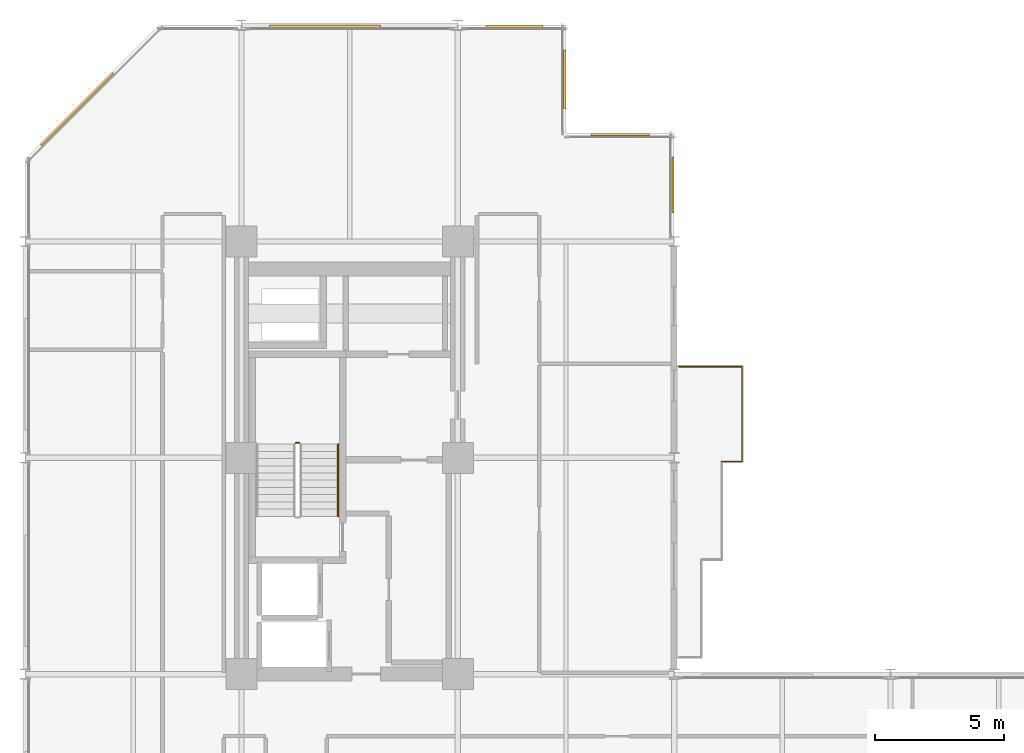
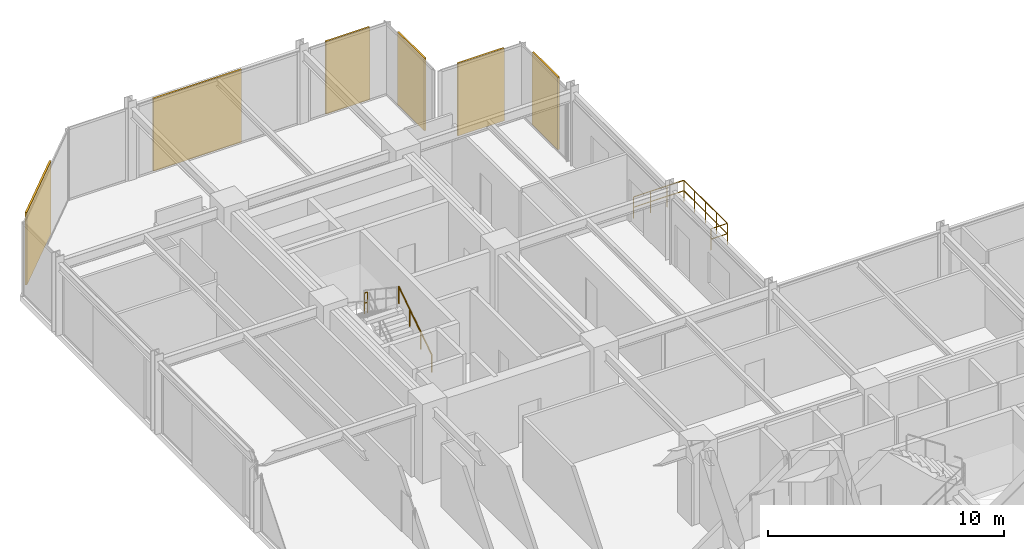
# One storey, part 29 of 29: 6 coverings, 5 railings.
"""IFC4 building model written with IfcOpenShell, lengths in metres."""

from ifc_helpers import new_model, si_unit, direction, frame, origin, origin_2d, place, context, subcontext, project, spatial, rectangle, circle, extrude, material, layer, layer_set, type_object, element, save


model = new_model("IFC4")

# Units and contexts
model_context = context("Model", 3, precision=1e-05, world=origin(), true_north=direction((0.0, 1.0)))
body_context = subcontext(model_context, "Body", "Model", "MODEL_VIEW")
ifc_project = project(units=[si_unit("LENGTHUNIT", "METRE"), si_unit("AREAUNIT", "SQUARE_METRE"), si_unit("VOLUMEUNIT", "CUBIC_METRE"), si_unit("PLANEANGLEUNIT", "RADIAN"), si_unit("MASSUNIT", "GRAM", prefix="KILO")], contexts=[model_context])

# Site, building, storey
site_placement = place(None, origin())
site = spatial("IfcSite", under=ifc_project, at=site_placement, CompositionType="ELEMENT")
building_placement = place(site_placement, origin())
building = spatial("IfcBuilding", under=site, at=building_placement, Name="Nerrivon Quay Data Exchange", CompositionType="ELEMENT")
storey_placement = place(building_placement, frame((0.0, 0.0, 158.199951171875)))
storey = spatial("IfcBuildingStorey", under=building, at=storey_placement, Name="L37", CompositionType="ELEMENT", Elevation=158.199951171875)

# Coverings
ifc_material_1 = material(Name="Architectural terracotta ceramic", Category="masonry")
ifc_layer = layer(ifc_material_1, 0.090087890625)
ifc_layer_set = layer_set([ifc_layer], Name="Architectural terracotta ceramic")
covering_type = type_object("IfcCoveringType", Name="COV-SCR-TERR", PredefinedType="CLADDING", material=ifc_layer_set)
covering_1_placement = place(storey_placement, frame((2.0078125, 47.144287109375, 0.0), z_axis=(0.0, 0.0, 1.0), x_axis=(0.707106781187, 0.707106781187, 0.0)))
element("IfcCovering", 1, at=covering_1_placement, inside=storey, type_object=covering_type, Name="L37 Perforated Terracotta SOLAR SCREEN Cassette", PredefinedType="CLADDING", context=body_context, shape_type="SweptSolid", body=[
    extrude(rectangle(XDim=3.970947265625, YDim=0.090087890625, at=origin_2d()), origin(), (0.0, 0.0, 1.0), 3.75),
])
covering_2_placement = place(storey_placement, frame((11.639892578125, 50.35498046875, 0.0), z_axis=(0.0, 0.0, 1.0), x_axis=(1.0, 0.0, 0.0)))
element("IfcCovering", 2, at=covering_2_placement, inside=storey, type_object=covering_type, Name="L37 Perforated Terracotta SOLAR SCREEN Cassette", PredefinedType="CLADDING", context=body_context, shape_type="SweptSolid", body=[
    extrude(rectangle(XDim=4.320068359375, YDim=0.090087890625, at=origin_2d()), origin(), (0.0, 0.0, 1.0), 3.75),
])
covering_3_placement = place(storey_placement, frame((19.0, 50.35498046875, 0.0), z_axis=(0.0, 0.0, 1.0), x_axis=(1.0, 0.0, 0.0)))
element("IfcCovering", 3, at=covering_3_placement, inside=storey, type_object=covering_type, Name="L37 Perforated Terracotta SOLAR SCREEN Cassette", PredefinedType="CLADDING", context=body_context, shape_type="SweptSolid", body=[
    extrude(rectangle(XDim=2.159912109375, YDim=0.090087890625, at=origin_2d()), origin(), (0.0, 0.0, 1.0), 3.75),
])
for number, where, z_axis, x_axis, name in (
    (4, (20.955078125, 48.300048828125, 0.0), (0.0, 0.0, 1.0), (0.0, -1.0, 0.0), "L37 Perforated Terracotta SOLAR SCREEN Cassette"),
    (5, (23.10009765625, 46.155029296875, 0.0), (0.0, 0.0, 1.0), (1.0, 0.0, 0.0), "L37 Perforated Terracotta SOLAR SCREEN Cassette"),
):
    element("IfcCovering", number, at=place(storey_placement, frame(where, z_axis=z_axis, x_axis=x_axis)), inside=storey, type_object=covering_type, Name=name, PredefinedType="CLADDING", context=body_context, shape_type="SweptSolid", body=[
        extrude(rectangle(XDim=2.26806640625, YDim=0.090087890625, at=origin_2d()), origin(), (0.0, 0.0, 1.0), 3.75),
    ])
covering_4_placement = place(storey_placement, frame((25.155029296875, 44.199951171875, 0.0), z_axis=(0.0, 0.0, 1.0), x_axis=(0.0, -1.0, 0.0)))
element("IfcCovering", 6, at=covering_4_placement, inside=storey, type_object=covering_type, Name="L37 Perforated Terracotta SOLAR SCREEN Cassette", PredefinedType="CLADDING", context=body_context, shape_type="SweptSolid", body=[
    extrude(rectangle(XDim=2.159912109375, YDim=0.090087890625, at=origin_2d()), origin(), (0.0, 0.0, 1.0), 3.75),
])

# Railings
ifc_material_2 = material(Name="Steel Grade C350L0 (350 MPa)", Category="steel")
railing_type_1 = type_object("IfcRailingType", Name="RAIL-GUARD-GR2", PredefinedType="BALUSTRADE", material=ifc_material_2)
railing_1_placement = place(storey_placement, frame((25.3798828125, 37.139892578125, 0.0)))
element("IfcRailing", 7, at=railing_1_placement, inside=storey, type_object=railing_type_1, Name="L37 Verandah Balcony Guard 1.3 1", PredefinedType="BALUSTRADE", context=body_context, shape_type="SweptSolid", body=[
    extrude(circle(Radius=0.02392578125, at=origin_2d()), frame((0.0, 0.0, 1.09619140625), z_axis=(1.0, 0.0, 0.0), x_axis=(0.0, 1.0, 0.0)), (0.0, 0.0, 1.0), 2.460205078125),
    extrude(circle(Radius=0.02392578125, at=origin_2d()), frame((0.0, 0.0, 0.56005859375), z_axis=(1.0, 0.0, 0.0), x_axis=(0.0, 1.0, 0.0)), (0.0, 0.0, 1.0), 2.460205078125),
    extrude(circle(Radius=0.02099609375, at=origin_2d()), origin(), (0.0, 0.0, 1.0), 1.072021484375),
    extrude(circle(Radius=0.02099609375, at=origin_2d()), frame((0.820068359375, 0.0, 0.0)), (0.0, 0.0, 1.0), 1.072021484375),
    extrude(circle(Radius=0.02099609375, at=origin_2d()), frame((1.64013671875, 0.0, 0.0)), (0.0, 0.0, 1.0), 1.072021484375),
    extrude(circle(Radius=0.02099609375, at=origin_2d()), frame((2.460205078125, 0.0, 0.0)), (0.0, 0.0, 1.0), 1.072021484375),
])
railing_2_placement = place(storey_placement, frame((27.840087890625, 37.139892578125, 0.0)))
element("IfcRailing", 8, at=railing_2_placement, inside=storey, type_object=railing_type_1, Name="L37 Verandah Balcony Guard 1.4 1", PredefinedType="BALUSTRADE", context=body_context, shape_type="SweptSolid", body=[
    extrude(circle(Radius=0.02392578125, at=origin_2d()), frame((0.0, 0.0, 1.09619140625), z_axis=(0.0, -1.0, 0.0), x_axis=(1.0, 0.0, 0.0)), (0.0, 0.0, 1.0), 3.679931640625),
    extrude(circle(Radius=0.02392578125, at=origin_2d()), frame((0.0, 0.0, 0.56005859375), z_axis=(0.0, -1.0, 0.0), x_axis=(1.0, 0.0, 0.0)), (0.0, 0.0, 1.0), 3.679931640625),
    extrude(circle(Radius=0.02099609375, at=origin_2d()), origin(), (0.0, 0.0, 1.0), 1.072021484375),
    extrude(circle(Radius=0.02099609375, at=origin_2d()), frame((0.0, -0.919921875, 0.0)), (0.0, 0.0, 1.0), 1.072021484375),
    extrude(circle(Radius=0.02099609375, at=origin_2d()), frame((0.0, -1.83984375, 0.0)), (0.0, 0.0, 1.0), 1.072021484375),
    extrude(circle(Radius=0.02099609375, at=origin_2d()), frame((0.0, -2.760009765625, 0.0)), (0.0, 0.0, 1.0), 1.072021484375),
    extrude(circle(Radius=0.02099609375, at=origin_2d()), frame((0.0, -3.679931640625, 0.0)), (0.0, 0.0, 1.0), 1.072021484375),
])
railing_3_placement = place(storey_placement, frame((27.840087890625, 33.4599609375, 0.0)))
element("IfcRailing", 9, at=railing_3_placement, inside=storey, type_object=railing_type_1, Name="L37 Verandah Balcony Guard 1.5 1", PredefinedType="BALUSTRADE", context=body_context, shape_type="SweptSolid", body=[
    extrude(circle(Radius=0.02392578125, at=origin_2d()), frame((0.0, 0.0, 1.09619140625), z_axis=(-1.0, 0.0, 0.0), x_axis=(0.0, -1.0, 0.0)), (0.0, 0.0, 1.0), 0.800048828125),
    extrude(circle(Radius=0.02392578125, at=origin_2d()), frame((0.0, 0.0, 0.56005859375), z_axis=(-1.0, 0.0, 0.0), x_axis=(0.0, -1.0, 0.0)), (0.0, 0.0, 1.0), 0.800048828125),
    extrude(circle(Radius=0.02099609375, at=origin_2d()), origin(), (0.0, 0.0, 1.0), 1.072021484375),
    extrude(circle(Radius=0.02099609375, at=origin_2d()), frame((-0.800048828125, 0.0, 0.0)), (0.0, 0.0, 1.0), 1.072021484375),
])
railing_type_2 = type_object("IfcRailingType", Name="RAIL-HAND-HR1", PredefinedType="HANDRAIL", material=ifc_material_2)
railing_4_placement = place(storey_placement, frame((12.14990234375, 31.330078125, 0.1865234375)))
element("IfcRailing", 10, at=railing_4_placement, inside=storey, type_object=railing_type_2, Name="L37 ST01 stair handrail 1", PredefinedType="HANDRAIL", context=body_context, shape_type="SweptSolid", body=[
    extrude(circle(Radius=0.02392578125, at=origin_2d()), frame((0.0, 0.0, 0.8759765625), z_axis=(0.0, 0.832463268671, 0.554080234545), x_axis=(-1.0, 0.0, 0.0)), (0.0, 0.0, 1.0), 3.36328125),
    extrude(circle(Radius=0.02099609375, at=origin_2d()), origin(), (0.0, 0.0, 1.0), 0.851806640625),
    extrude(circle(Radius=0.02099609375, at=origin_2d()), frame((0.0, 0.933349609375, 0.62109375)), (0.0, 0.0, 1.0), 0.851806640625),
    extrude(circle(Radius=0.02099609375, at=origin_2d()), frame((0.0, 1.866455078125, 1.242431640625)), (0.0, 0.0, 1.0), 0.851806640625),
    extrude(circle(Radius=0.02099609375, at=origin_2d()), frame((0.0, 2.7998046875, 1.863525390625)), (0.0, 0.0, 1.0), 0.851806640625),
])
railing_type_3 = type_object("IfcRailingType", Name="RAIL-STAIR-GR1", PredefinedType="BALUSTRADE", material=ifc_material_2)
railing_5_placement = place(storey_placement, frame((10.64990234375, 34.179931640625, 2.050048828125)))
element("IfcRailing", 11, at=railing_5_placement, inside=storey, type_object=railing_type_3, Name="L37 ST01 stair guard 2", PredefinedType="BALUSTRADE", context=body_context, shape_type="SweptSolid", body=[
    extrude(circle(Radius=0.02392578125, at=origin_2d()), frame((0.0, 0.0, 1.076171875), z_axis=(-1.0, 0.0, 0.0), x_axis=(0.0, -1.0, 0.0)), (0.0, 0.0, 1.0), 0.14990234375),
    extrude(circle(Radius=0.02392578125, at=origin_2d()), frame((0.0, 0.0, 0.550048828125), z_axis=(-1.0, 0.0, 0.0), x_axis=(0.0, -1.0, 0.0)), (0.0, 0.0, 1.0), 0.14990234375),
    extrude(circle(Radius=0.02099609375, at=origin_2d()), origin(), (0.0, 0.0, 1.0), 1.052001953125),
    extrude(circle(Radius=0.02099609375, at=origin_2d()), frame((-0.14990234375, 0.0, 0.0)), (0.0, 0.0, 1.0), 1.052001953125),
])

save(model, "model.ifc")
